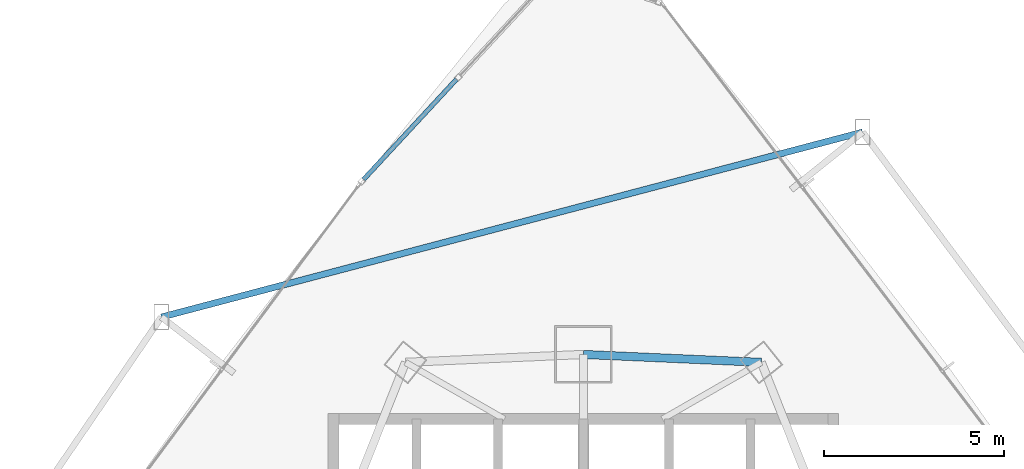
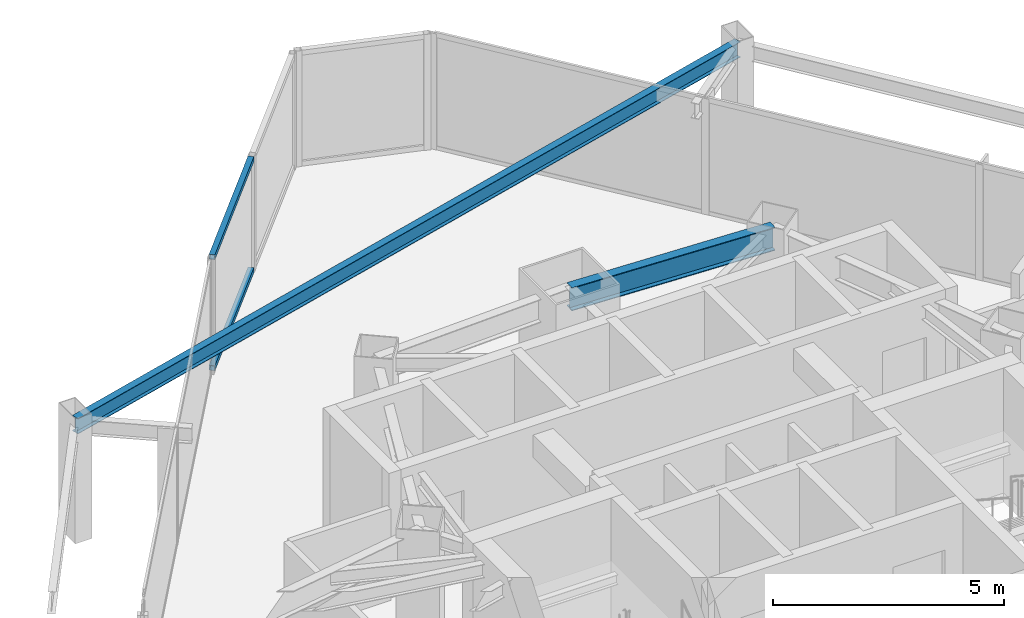
# One storey, part 26 of 38: 2 beams, 2 members, 1 element without a shape of its own.
"""IFC4 building model written with IfcOpenShell, lengths in metres."""

from ifc_helpers import new_model, si_unit, direction, frame, origin, origin_2d, place, context, subcontext, project, spatial, hollow_rectangle, i_section, extrude, material, layer, layer_set, material_profile, profile_set, type_object, element, aggregate, save


model = new_model("IFC4")

# Units and contexts
model_context = context("Model", 3, precision=1e-05, world=origin(), true_north=direction((0.0, 1.0)))
body_context = subcontext(model_context, "Body", "Model", "MODEL_VIEW")
ifc_project = project(units=[si_unit("LENGTHUNIT", "METRE"), si_unit("AREAUNIT", "SQUARE_METRE"), si_unit("VOLUMEUNIT", "CUBIC_METRE"), si_unit("PLANEANGLEUNIT", "RADIAN"), si_unit("MASSUNIT", "GRAM", prefix="KILO")], contexts=[model_context])

# Site, building, storey
site_placement = place(None, origin())
site = spatial("IfcSite", under=ifc_project, at=site_placement, CompositionType="ELEMENT")
building_placement = place(site_placement, origin())
building = spatial("IfcBuilding", under=site, at=building_placement, Name="Orvanel Arch Residences", CompositionType="ELEMENT")
storey_placement = place(building_placement, frame((0.0, 0.0, 46.699951171875)))
storey = spatial("IfcBuildingStorey", under=building, at=storey_placement, Name="L12", CompositionType="ELEMENT", Elevation=46.699951171875)

# Beams
ifc_material_1 = material(Name="Structural steel AS/NZS 3679.1 Grade 300 (300 MPa)", Category="steel")
ifc_material_profile_1 = material_profile(ifc_material_1, i_section(OverallWidth=0.177978515625, OverallDepth=0.406005859375, WebThickness=0.0078125, FlangeThickness=0.0126953125, at=origin_2d()), Name="410UB59.7")
ifc_profile_set_1 = profile_set([ifc_material_profile_1], Name="Structural steel AS/NZS 3679.1 Grade 300 (300 MPa)")
beam_type_1 = type_object("IfcBeamType", Name="OB-410UB-EXT", PredefinedType="SPANDREL", material=ifc_profile_set_1)
beam_1_placement = place(storey_placement, frame((40.76806640625, 47.58203125, 2.85693359375), z_axis=(-0.966939446148, -0.255006093032, 0.0), x_axis=(0.255006093032, -0.966939446148, 0.0)))
element("IfcBeam", 1, at=beam_1_placement, inside=storey, type_object=beam_type_1, Name="L12 Outer Perimeter Floor Ring Beam 12", PredefinedType="SPANDREL", context=body_context, shape_type="SweptSolid", body=[
    extrude(i_section(OverallWidth=0.177978515625, OverallDepth=0.406005859375, WebThickness=0.0078125, FlangeThickness=0.0126953125, at=origin_2d()), origin(), (0.0, 0.0, 1.0), 20.176025390625),
])
ifc_material_profile_2 = material_profile(ifc_material_1, i_section(OverallWidth=0.22900390625, OverallDepth=0.612060546875, WebThickness=0.011962890625, FlangeThickness=0.01953125, at=origin_2d()), Name="610UB125")
ifc_profile_set_2 = profile_set([ifc_material_profile_2], Name="Structural steel AS/NZS 3679.1 Grade 300 (300 MPa)")
beam_type_2 = type_object("IfcBeamType", Name="SP-610UB", PredefinedType="SPANDREL", material=ifc_profile_set_2)
beam_2_placement = place(storey_placement, frame((37.949951171875, 41.177978515625, 2.754150390625), z_axis=(-0.999014049296, 0.044395149614, 0.0), x_axis=(-0.044395149614, -0.999014049296, 0.0)))
element("IfcBeam", 2, at=beam_2_placement, inside=storey, type_object=beam_type_2, Name="L12 Perimeter Spandrel Beam 16", PredefinedType="SPANDREL", context=body_context, shape_type="SweptSolid", body=[
    extrude(i_section(OverallWidth=0.22900390625, OverallDepth=0.612060546875, WebThickness=0.011962890625, FlangeThickness=0.01953125, at=origin_2d()), origin(), (0.0, 0.0, 1.0), 4.954833984375),
])

# Curtain wall, members
ifc_material_2 = material(Name="Bronze-anodised aluminium AA6063-T6", Category="aluminium")
ifc_layer = layer(ifc_material_2, 0.18994140625)
ifc_layer_set = layer_set([ifc_layer], Name="Bronze-anodised aluminium AA6063-T6")
curtain_wall_type = type_object("IfcCurtainWallType", Name="CW5-CRN-SYS", PredefinedType="NOTDEFINED", material=ifc_layer_set)
curtain_wall_placement = place(storey_placement, origin())
curtain_wall = element("IfcCurtainWall", 3, at=curtain_wall_placement, inside=storey, type_object=curtain_wall_type, Name="L12 CW5-CRN-SYS Unitised Curtain Wall", PredefinedType="NOTDEFINED")
ifc_material_profile_3 = material_profile(ifc_material_2, hollow_rectangle(XDim=0.1298828125, YDim=0.1298828125, WallThickness=0.00439453125, at=origin_2d()), Name="ALU130x130x4.5")
ifc_profile_set_3 = profile_set([ifc_material_profile_3], Name="Bronze-anodised aluminium AA6063-T6")
member_type = type_object("IfcMemberType", Name="TRN-130x130", PredefinedType="USERDEFINED", material=ifc_profile_set_3)
member_1_placement = place(storey_placement, frame((29.468505859375, 49.052001953125, 0.06494140625), z_axis=(-0.679958394269, -0.733250695236, 0.0), x_axis=(0.733250695236, -0.679958394269, 0.0)))
member_1 = element("IfcMember", 4, at=member_1_placement, type_object=member_type, Name="CW-S5 transom 2.1", ObjectType="TRANSOM", PredefinedType="USERDEFINED", context=body_context, shape_type="SweptSolid", body=[
    extrude(hollow_rectangle(XDim=0.1298828125, YDim=0.1298828125, WallThickness=0.00439453125, at=origin_2d()), origin(), (0.0, 0.0, 1.0), 3.80224609375),
])
member_2_placement = place(storey_placement, frame((29.468505859375, 49.052001953125, 2.9951171875), z_axis=(-0.679958394269, -0.733250695236, 0.0), x_axis=(0.733250695236, -0.679958394269, 0.0)))
member_2 = element("IfcMember", 5, at=member_2_placement, type_object=member_type, Name="CW-S5 transom 2.2", ObjectType="TRANSOM", PredefinedType="USERDEFINED", context=body_context, shape_type="SweptSolid", body=[
    extrude(hollow_rectangle(XDim=0.1298828125, YDim=0.1298828125, WallThickness=0.00439453125, at=origin_2d()), origin(), (0.0, 0.0, 1.0), 3.80224609375),
])
aggregate(curtain_wall, [member_1, member_2])

save(model, "model.ifc")
